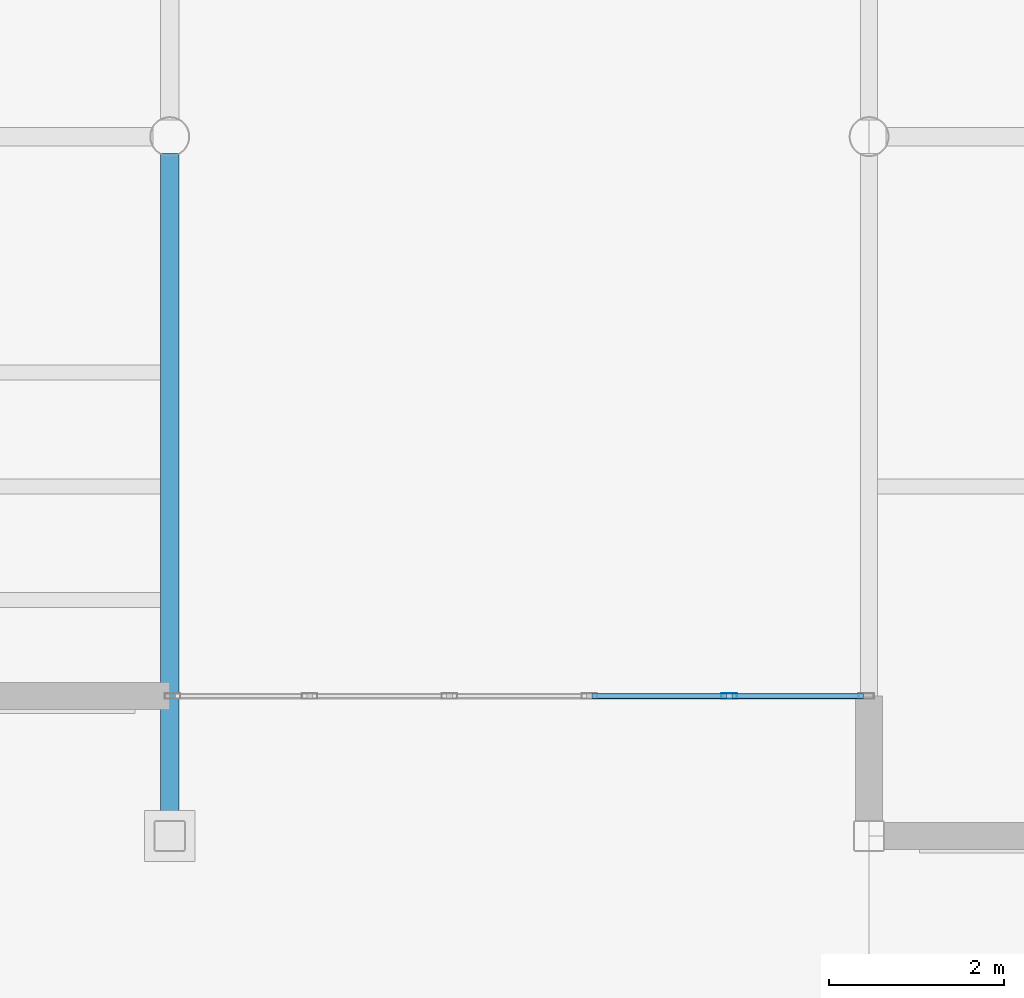
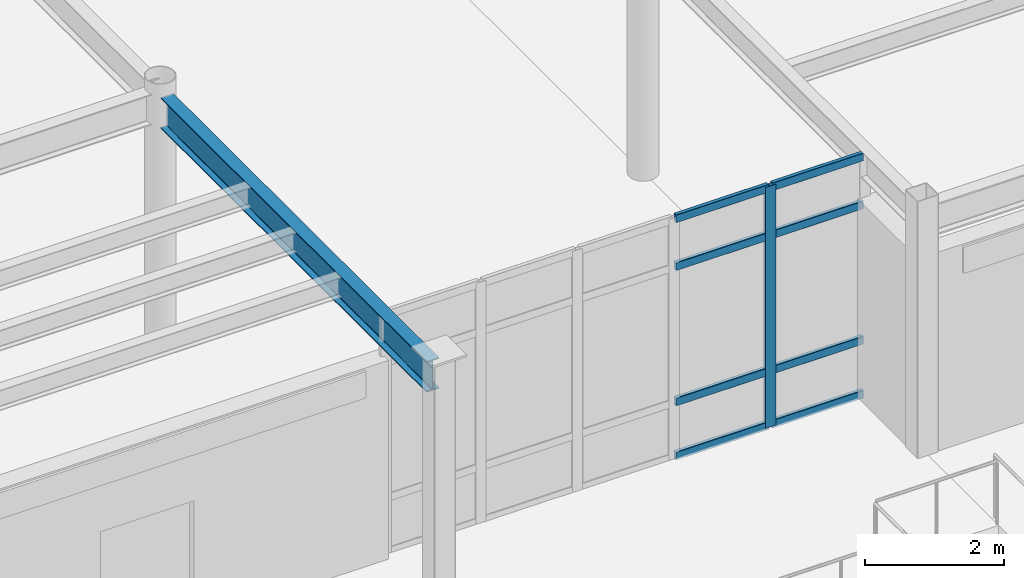
# One storey, part 56 of 111: 9 members, 1 beam, 1 element without a shape of its own.
"""IFC4 building model written with IfcOpenShell, lengths in metres."""

from ifc_helpers import new_model, si_unit, direction, frame, origin, origin_2d, place, context, subcontext, project, spatial, hollow_rectangle, i_section, extrude, material, material_profile, profile_set, type_object, element, aggregate, save


model = new_model("IFC4")

# Units and contexts
model_context = context("Model", 3, precision=1e-05, world=origin(), true_north=direction((0.0, 1.0)))
body_context = subcontext(model_context, "Body", "Model", "MODEL_VIEW")
ifc_project = project(units=[si_unit("LENGTHUNIT", "METRE"), si_unit("AREAUNIT", "SQUARE_METRE"), si_unit("VOLUMEUNIT", "CUBIC_METRE"), si_unit("PLANEANGLEUNIT", "RADIAN"), si_unit("MASSUNIT", "GRAM", prefix="KILO")], contexts=[model_context])

# Site, building, storey
site_placement = place(None, origin())
site = spatial("IfcSite", under=ifc_project, at=site_placement, CompositionType="ELEMENT")
building_placement = place(site_placement, origin())
building = spatial("IfcBuilding", under=site, at=building_placement, Name="Solmirada Galleria", CompositionType="ELEMENT")
storey_placement = place(building_placement, frame((0.0, 0.0, 10.39990234375)))
storey = spatial("IfcBuildingStorey", under=building, at=storey_placement, Name="L02", CompositionType="ELEMENT", Elevation=10.39990234375)

# Beam
ifc_material_1 = material(Name="Steel S355 / ASTM A992 Grade 50", Category="steel")
ifc_material_profile_1 = material_profile(ifc_material_1, i_section(OverallWidth=0.2099609375, OverallDepth=0.537109375, WebThickness=0.010986328125, FlangeThickness=0.017333984375, FilletRadius=0.014892578125, at=origin_2d()), Name="W21X68")
ifc_profile_set_1 = profile_set([ifc_material_profile_1], Name="Steel S355 / ASTM A992 Grade 50")
beam_type = type_object("IfcBeamType", Name="BM-GIRD-W21B", PredefinedType="BEAM", material=ifc_profile_set_1)
beam_placement = place(storey_placement, frame((112.0, 80.177978515625, 3.99169921875), z_axis=(0.0, 1.0, 0.0), x_axis=(-1.0, 0.0, 0.0)))
element("IfcBeam", 1, at=beam_placement, inside=storey, type_object=beam_type, Name="Primary girder L03 Y(112, 80..88)", PredefinedType="BEAM", context=body_context, shape_type="SweptSolid", body=[
    extrude(i_section(OverallWidth=0.2099609375, OverallDepth=0.537109375, WebThickness=0.010986328125, FlangeThickness=0.017333984375, FilletRadius=0.014892578125, at=origin_2d()), origin(), (0.0, 0.0, 1.0), 7.630126953125),
])

# Curtain wall, members
ifc_material_2 = material(Name="Impact-resistant low-E double glazing", Category="glass")
curtain_wall_type = type_object("IfcCurtainWallType", Name="CW-FZ4-L02-B5-L080", PredefinedType="NOTDEFINED", material=ifc_material_2)
curtain_wall_placement = place(storey_placement, origin())
curtain_wall = element("IfcCurtainWall", 2, at=curtain_wall_placement, inside=storey, type_object=curtain_wall_type, Name="Terrace and arcade storefront CW-L02-102", PredefinedType="NOTDEFINED")
ifc_material_3 = material(Name="Anodised aluminium framing", Category="aluminium")
ifc_material_profile_2 = material_profile(ifc_material_3, hollow_rectangle(XDim=0.06494140625, YDim=0.179931640625, WallThickness=0.00390625, InnerFilletRadius=0.00390625, OuterFilletRadius=0.008056640625, at=origin_2d()), Name="ALU-MULL-180X65")
ifc_profile_set_2 = profile_set([ifc_material_profile_2], Name="Anodised aluminium framing")
member_type_1 = type_object("IfcMemberType", Name="CW-MULL-180", PredefinedType="MULLION", material=ifc_profile_set_2)
member_1_placement = place(storey_placement, frame((118.39990234375, 81.60009765625, 0.0), z_axis=(0.0, 0.0, 1.0), x_axis=(0.0, -1.0, 0.0)))
member_1 = element("IfcMember", 3, at=member_1_placement, type_object=member_type_1, Name="CW22 mullion 2", PredefinedType="MULLION", context=body_context, shape_type="SweptSolid", body=[
    extrude(hollow_rectangle(XDim=0.06494140625, YDim=0.179931640625, WallThickness=0.00390625, InnerFilletRadius=0.00390625, OuterFilletRadius=0.008056640625, at=origin_2d()), origin(), (0.0, 0.0, 1.0), 4.22021484375),
])
ifc_material_profile_3 = material_profile(ifc_material_3, hollow_rectangle(XDim=0.06494140625, YDim=0.139892578125, WallThickness=0.00341796875, InnerFilletRadius=0.00341796875, OuterFilletRadius=0.007080078125, at=origin_2d()), Name="ALU-TRAN-140X65")
ifc_profile_set_3 = profile_set([ifc_material_profile_3], Name="Anodised aluminium framing")
member_type_2 = type_object("IfcMemberType", Name="CW-TRAN-140", PredefinedType="USERDEFINED", material=ifc_profile_set_3)
member_2_placement = place(storey_placement, frame((119.93505859375, 81.60009765625, 0.03271484375), z_axis=(-1.0, 0.0, 0.0), x_axis=(0.0, -1.0, 0.0)))
member_2 = element("IfcMember", 4, at=member_2_placement, type_object=member_type_2, Name="CW22 transom 1.1", ObjectType="TRANSOM", PredefinedType="USERDEFINED", context=body_context, shape_type="SweptSolid", body=[
    extrude(hollow_rectangle(XDim=0.06494140625, YDim=0.139892578125, WallThickness=0.00341796875, InnerFilletRadius=0.00341796875, OuterFilletRadius=0.007080078125, at=origin_2d()), origin(), (0.0, 0.0, 1.0), 1.50244140625),
])
member_3_placement = place(storey_placement, frame((119.93505859375, 81.60009765625, 0.97998046875), z_axis=(-1.0, 0.0, 0.0), x_axis=(0.0, -1.0, 0.0)))
member_3 = element("IfcMember", 5, at=member_3_placement, type_object=member_type_2, Name="CW22 transom 1.2", ObjectType="TRANSOM", PredefinedType="USERDEFINED", context=body_context, shape_type="SweptSolid", body=[
    extrude(hollow_rectangle(XDim=0.06494140625, YDim=0.139892578125, WallThickness=0.00341796875, InnerFilletRadius=0.00341796875, OuterFilletRadius=0.007080078125, at=origin_2d()), origin(), (0.0, 0.0, 1.0), 1.50244140625),
])
member_4_placement = place(storey_placement, frame((119.93505859375, 81.60009765625, 3.35009765625), z_axis=(-1.0, 0.0, 0.0), x_axis=(0.0, -1.0, 0.0)))
member_4 = element("IfcMember", 6, at=member_4_placement, type_object=member_type_2, Name="CW22 transom 1.3", ObjectType="TRANSOM", PredefinedType="USERDEFINED", context=body_context, shape_type="SweptSolid", body=[
    extrude(hollow_rectangle(XDim=0.06494140625, YDim=0.139892578125, WallThickness=0.00341796875, InnerFilletRadius=0.00341796875, OuterFilletRadius=0.007080078125, at=origin_2d()), origin(), (0.0, 0.0, 1.0), 1.50244140625),
])
member_5_placement = place(storey_placement, frame((119.93505859375, 81.60009765625, 4.1875), z_axis=(-1.0, 0.0, 0.0), x_axis=(0.0, -1.0, 0.0)))
member_5 = element("IfcMember", 7, at=member_5_placement, type_object=member_type_2, Name="CW22 transom 1.4", ObjectType="TRANSOM", PredefinedType="USERDEFINED", context=body_context, shape_type="SweptSolid", body=[
    extrude(hollow_rectangle(XDim=0.06494140625, YDim=0.139892578125, WallThickness=0.00341796875, InnerFilletRadius=0.00341796875, OuterFilletRadius=0.007080078125, at=origin_2d()), origin(), (0.0, 0.0, 1.0), 1.50244140625),
])
member_6_placement = place(storey_placement, frame((118.367431640625, 81.60009765625, 0.03271484375), z_axis=(-1.0, 0.0, 0.0), x_axis=(0.0, -1.0, 0.0)))
member_6 = element("IfcMember", 8, at=member_6_placement, type_object=member_type_2, Name="CW22 transom 2.1", ObjectType="TRANSOM", PredefinedType="USERDEFINED", context=body_context, shape_type="SweptSolid", body=[
    extrude(hollow_rectangle(XDim=0.06494140625, YDim=0.139892578125, WallThickness=0.00341796875, InnerFilletRadius=0.00341796875, OuterFilletRadius=0.007080078125, at=origin_2d()), origin(), (0.0, 0.0, 1.0), 1.534912109375),
])
member_7_placement = place(storey_placement, frame((118.367431640625, 81.60009765625, 0.97998046875), z_axis=(-1.0, 0.0, 0.0), x_axis=(0.0, -1.0, 0.0)))
member_7 = element("IfcMember", 9, at=member_7_placement, type_object=member_type_2, Name="CW22 transom 2.2", ObjectType="TRANSOM", PredefinedType="USERDEFINED", context=body_context, shape_type="SweptSolid", body=[
    extrude(hollow_rectangle(XDim=0.06494140625, YDim=0.139892578125, WallThickness=0.00341796875, InnerFilletRadius=0.00341796875, OuterFilletRadius=0.007080078125, at=origin_2d()), origin(), (0.0, 0.0, 1.0), 1.534912109375),
])
member_8_placement = place(storey_placement, frame((118.367431640625, 81.60009765625, 3.35009765625), z_axis=(-1.0, 0.0, 0.0), x_axis=(0.0, -1.0, 0.0)))
member_8 = element("IfcMember", 10, at=member_8_placement, type_object=member_type_2, Name="CW22 transom 2.3", ObjectType="TRANSOM", PredefinedType="USERDEFINED", context=body_context, shape_type="SweptSolid", body=[
    extrude(hollow_rectangle(XDim=0.06494140625, YDim=0.139892578125, WallThickness=0.00341796875, InnerFilletRadius=0.00341796875, OuterFilletRadius=0.007080078125, at=origin_2d()), origin(), (0.0, 0.0, 1.0), 1.534912109375),
])
member_9_placement = place(storey_placement, frame((118.367431640625, 81.60009765625, 4.1875), z_axis=(-1.0, 0.0, 0.0), x_axis=(0.0, -1.0, 0.0)))
member_9 = element("IfcMember", 11, at=member_9_placement, type_object=member_type_2, Name="CW22 transom 2.4", ObjectType="TRANSOM", PredefinedType="USERDEFINED", context=body_context, shape_type="SweptSolid", body=[
    extrude(hollow_rectangle(XDim=0.06494140625, YDim=0.139892578125, WallThickness=0.00341796875, InnerFilletRadius=0.00341796875, OuterFilletRadius=0.007080078125, at=origin_2d()), origin(), (0.0, 0.0, 1.0), 1.534912109375),
])
aggregate(curtain_wall, [member_1, member_2, member_3, member_4, member_5, member_6, member_7, member_8, member_9])

save(model, "model.ifc")
